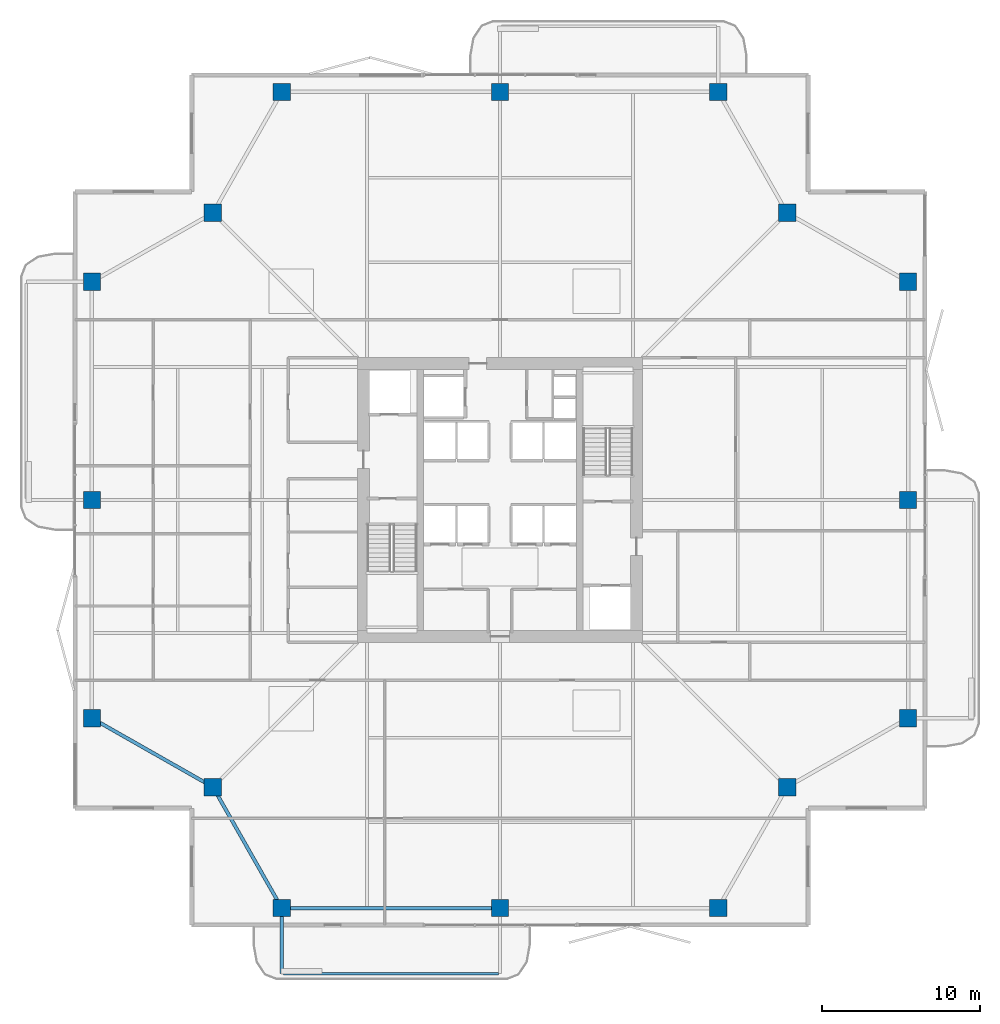
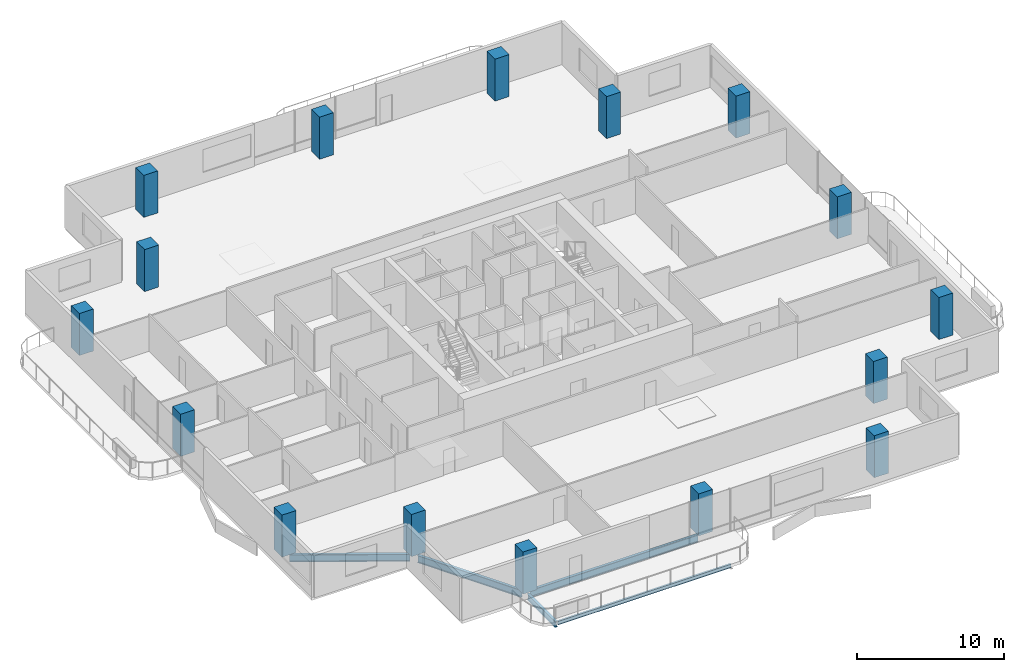
# One storey, part 1 of 23: 16 columns, 5 beams.
"""IFC4 building model written with IfcOpenShell, lengths in metres."""

from ifc_helpers import new_model, si_unit, direction, frame, origin, origin_2d, place, context, subcontext, project, spatial, rectangle, i_section, extrude, material, material_profile, profile_set, type_object, element, save


model = new_model("IFC4")

# Units and contexts
model_context = context("Model", 3, precision=1e-05, world=origin(), true_north=direction((0.0, 1.0)))
body_context = subcontext(model_context, "Body", "Model", "MODEL_VIEW")
ifc_project = project(units=[si_unit("LENGTHUNIT", "METRE"), si_unit("AREAUNIT", "SQUARE_METRE"), si_unit("VOLUMEUNIT", "CUBIC_METRE"), si_unit("PLANEANGLEUNIT", "RADIAN"), si_unit("MASSUNIT", "GRAM", prefix="KILO")], contexts=[model_context])

# Site, building, storey
site_placement = place(None, origin())
site = spatial("IfcSite", under=ifc_project, at=site_placement, CompositionType="ELEMENT")
building_placement = place(site_placement, origin())
building = spatial("IfcBuilding", under=site, at=building_placement, Name="Belovzor Exchange Tower", CompositionType="ELEMENT")
storey_placement = place(building_placement, frame((0.0, 0.0, 229.949951171875)))
storey = spatial("IfcBuildingStorey", under=building, at=storey_placement, Name="L57", CompositionType="ELEMENT", Elevation=229.949951171875)

# Columns
ifc_material_1 = material(Name="Concrete C50/60", Category="concrete")
ifc_material_profile_1 = material_profile(ifc_material_1, rectangle(XDim=1.10009765625, YDim=1.10009765625, at=origin_2d()))
ifc_profile_set_1 = profile_set([ifc_material_profile_1], Name="Concrete C50/60")
column_type = type_object("IfcColumnType", Name="Reinforced Concrete Tower Column 1100x1100", PredefinedType="COLUMN", material=ifc_profile_set_1)
for number, where, z_axis, x_axis, name in (
    (1, (15.0, 3.0, 0.0029296875), (0.0, 0.0, 1.0), (1.0, 0.0, 0.0), "COL-T110 Reinforced Concrete Tower Column 1100x1100"),
    (2, (28.800048828125, 3.0, 0.0029296875), (0.0, 0.0, 1.0), (1.0, 0.0, 0.0), "COL-T110 Reinforced Concrete Tower Column 1100x1100"),
    (3, (42.60009765625, 3.0, 0.0029296875), (0.0, 0.0, 1.0), (1.0, 0.0, 0.0), "COL-T110 Reinforced Concrete Tower Column 1100x1100"),
    (4, (54.60009765625, 15.0, 0.0029296875), (0.0, 0.0, 1.0), (1.0, 0.0, 0.0), "COL-T110 Reinforced Concrete Tower Column 1100x1100"),
    (5, (54.60009765625, 28.800048828125, 0.0029296875), (0.0, 0.0, 1.0), (1.0, 0.0, 0.0), "COL-T110 Reinforced Concrete Tower Column 1100x1100"),
    (6, (54.60009765625, 42.60009765625, 0.0029296875), (0.0, 0.0, 1.0), (1.0, 0.0, 0.0), "COL-T110 Reinforced Concrete Tower Column 1100x1100"),
    (7, (42.60009765625, 54.60009765625, 0.0029296875), (0.0, 0.0, 1.0), (1.0, 0.0, 0.0), "COL-T110 Reinforced Concrete Tower Column 1100x1100"),
    (8, (28.800048828125, 54.60009765625, 0.0029296875), (0.0, 0.0, 1.0), (1.0, 0.0, 0.0), "COL-T110 Reinforced Concrete Tower Column 1100x1100"),
    (9, (15.0, 54.60009765625, 0.0029296875), (0.0, 0.0, 1.0), (1.0, 0.0, 0.0), "COL-T110 Reinforced Concrete Tower Column 1100x1100"),
    (10, (3.0, 42.60009765625, 0.0029296875), (0.0, 0.0, 1.0), (1.0, 0.0, 0.0), "COL-T110 Reinforced Concrete Tower Column 1100x1100"),
    (11, (3.0, 28.800048828125, 0.0029296875), (0.0, 0.0, 1.0), (1.0, 0.0, 0.0), "COL-T110 Reinforced Concrete Tower Column 1100x1100"),
    (12, (3.0, 15.0, 0.0029296875), (0.0, 0.0, 1.0), (1.0, 0.0, 0.0), "COL-T110 Reinforced Concrete Tower Column 1100x1100"),
    (13, (10.64990234375, 10.64990234375, 0.0029296875), (0.0, 0.0, 1.0), (1.0, 0.0, 0.0), "COL-T110 Reinforced Concrete Tower Column 1100x1100"),
    (14, (46.949951171875, 10.64990234375, 0.0029296875), (0.0, 0.0, 1.0), (1.0, 0.0, 0.0), "COL-T110 Reinforced Concrete Tower Column 1100x1100"),
    (15, (46.949951171875, 46.949951171875, 0.0029296875), (0.0, 0.0, 1.0), (1.0, 0.0, 0.0), "COL-T110 Reinforced Concrete Tower Column 1100x1100"),
    (16, (10.64990234375, 46.949951171875, 0.0029296875), (0.0, 0.0, 1.0), (1.0, 0.0, 0.0), "COL-T110 Reinforced Concrete Tower Column 1100x1100"),
):
    element("IfcColumn", number, at=place(storey_placement, frame(where, z_axis=z_axis, x_axis=x_axis)), inside=storey, type_object=column_type, Name=name, PredefinedType="COLUMN", context=body_context, shape_type="SweptSolid", body=[
        extrude(rectangle(XDim=1.10009765625, YDim=1.10009765625, at=origin_2d()), origin(), (0.0, 0.0, 1.0), 3.494140625),
    ])

# Beams
ifc_material_2 = material(Name="Steel S355", Category="steel")
ifc_material_profile_2 = material_profile(ifc_material_2, i_section(OverallWidth=0.199951171875, OverallDepth=0.5, WebThickness=0.01025390625, FlangeThickness=0.01611328125, at=origin_2d()))
ifc_profile_set_2 = profile_set([ifc_material_profile_2], Name="Steel S355")
beam_type_1 = type_object("IfcBeamType", Name="Planted Balcony Cantilever Beam IPE 500", PredefinedType="BEAM", material=ifc_profile_set_2)
beam_1_placement = place(storey_placement, frame((15.0, 2.697021484375, -0.5), z_axis=(0.0, -1.0, 0.0), x_axis=(1.0, 0.0, 0.0)))
element("IfcBeam", 17, at=beam_1_placement, inside=storey, type_object=beam_type_1, Name="BC-500 Planted Balcony Cantilever Beam IPE 500", PredefinedType="BEAM", context=body_context, shape_type="SweptSolid", body=[
    extrude(i_section(OverallWidth=0.199951171875, OverallDepth=0.5, WebThickness=0.01025390625, FlangeThickness=0.01611328125, at=origin_2d()), origin(), (0.0, 0.0, 1.0), 3.85009765625),
])
ifc_material_3 = material(Name="Steel S355", Category="steel")
ifc_material_profile_3 = material_profile(ifc_material_3, i_section(OverallWidth=0.14990234375, OverallDepth=0.300048828125, WebThickness=0.007080078125, FlangeThickness=0.0107421875, at=origin_2d()))
ifc_profile_set_3 = profile_set([ifc_material_profile_3], Name="Steel S355")
beam_type_2 = type_object("IfcBeamType", Name="Planted Balcony Fascia Edge Beam IPE 300", PredefinedType="BEAM", material=ifc_profile_set_3)
beam_2_placement = place(storey_placement, frame((15.10009765625, -1.153076171875, -0.39990234375), z_axis=(1.0, 0.0, 0.0), x_axis=(0.0, 1.0, 0.0)))
element("IfcBeam", 18, at=beam_2_placement, inside=storey, type_object=beam_type_2, Name="BC-300 Planted Balcony Fascia Edge Beam IPE 300", PredefinedType="BEAM", context=body_context, shape_type="SweptSolid", body=[
    extrude(i_section(OverallWidth=0.14990234375, OverallDepth=0.300048828125, WebThickness=0.007080078125, FlangeThickness=0.0107421875, at=origin_2d()), origin(), (0.0, 0.0, 1.0), 13.599853515625),
])
ifc_material_4 = material(Name="Steel S355", Category="steel")
ifc_material_profile_4 = material_profile(ifc_material_4, i_section(OverallWidth=0.219970703125, OverallDepth=0.60009765625, WebThickness=0.011962890625, FlangeThickness=0.01904296875, at=origin_2d()))
ifc_profile_set_4 = profile_set([ifc_material_profile_4], Name="Steel S355")
beam_type_3 = type_object("IfcBeamType", Name="Zone 4 Flare Primary Girder IPE 600", PredefinedType="BEAM", material=ifc_profile_set_4)
beam_3_placement = place(storey_placement, frame((10.800048828125, 10.386962890625, -0.550048828125), z_axis=(0.494222323641, -0.869335547884, 0.0), x_axis=(0.869335547884, 0.494222323641, 0.0)))
element("IfcBeam", 19, at=beam_3_placement, inside=storey, type_object=beam_type_3, Name="FG-Z4 Zone 4 Flare Primary Girder IPE 600", PredefinedType="BEAM", context=body_context, shape_type="SweptSolid", body=[
    extrude(i_section(OverallWidth=0.219970703125, OverallDepth=0.60009765625, WebThickness=0.011962890625, FlangeThickness=0.01904296875, at=origin_2d()), origin(), (0.0, 0.0, 1.0), 8.19482421875),
])
beam_4_placement = place(storey_placement, frame((15.302978515625, 3.0, -0.550048828125), z_axis=(1.0, 0.0, 0.0), x_axis=(0.0, 1.0, 0.0)))
element("IfcBeam", 20, at=beam_4_placement, inside=storey, type_object=beam_type_3, Name="FG-Z4 Zone 4 Flare Primary Girder IPE 600", PredefinedType="BEAM", context=body_context, shape_type="SweptSolid", body=[
    extrude(i_section(OverallWidth=0.219970703125, OverallDepth=0.60009765625, WebThickness=0.011962890625, FlangeThickness=0.01904296875, at=origin_2d()), origin(), (0.0, 0.0, 1.0), 13.195068359375),
])
beam_5_placement = place(storey_placement, frame((3.262939453125, 14.85009765625, -0.550048828125), z_axis=(0.869335547884, -0.494222323641, 0.0), x_axis=(0.494222323641, 0.869335547884, 0.0)))
element("IfcBeam", 21, at=beam_5_placement, inside=storey, type_object=beam_type_3, Name="FG-Z4 Zone 4 Flare Primary Girder IPE 600", PredefinedType="BEAM", context=body_context, shape_type="SweptSolid", body=[
    extrude(i_section(OverallWidth=0.219970703125, OverallDepth=0.60009765625, WebThickness=0.011962890625, FlangeThickness=0.01904296875, at=origin_2d()), origin(), (0.0, 0.0, 1.0), 8.19482421875),
])

save(model, "model.ifc")
